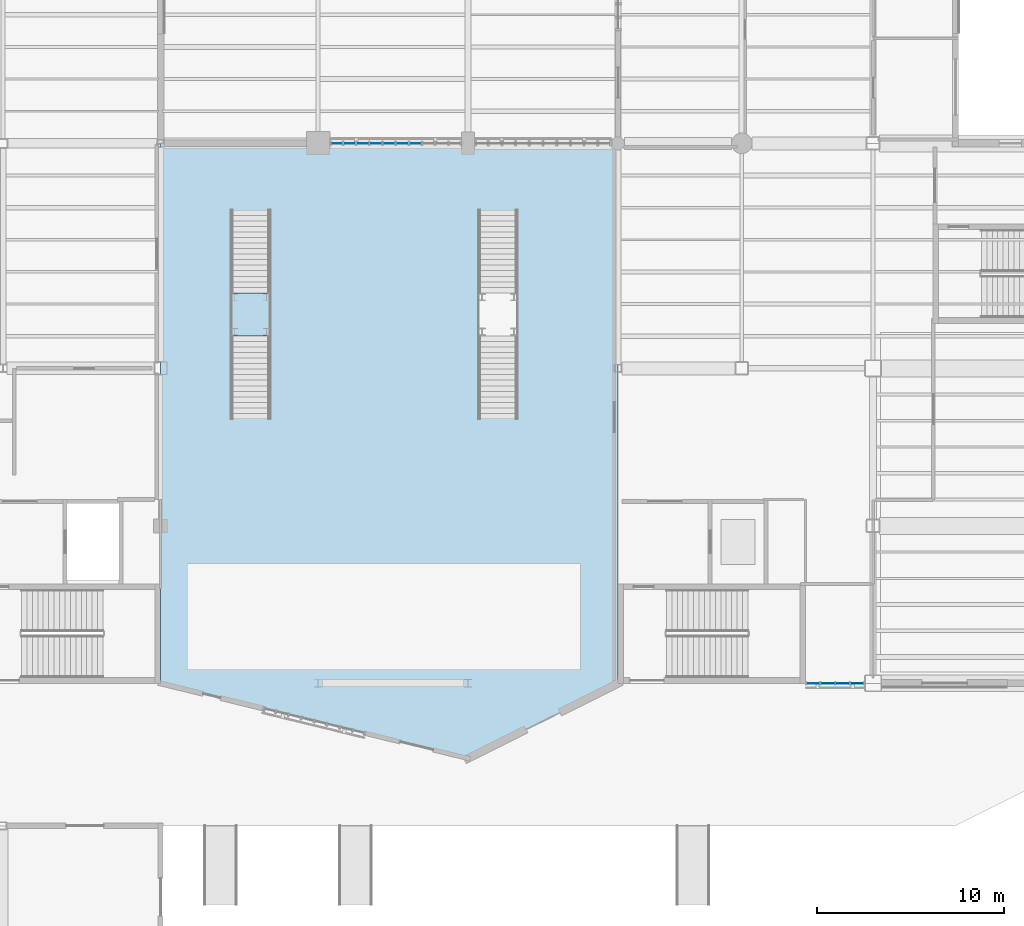
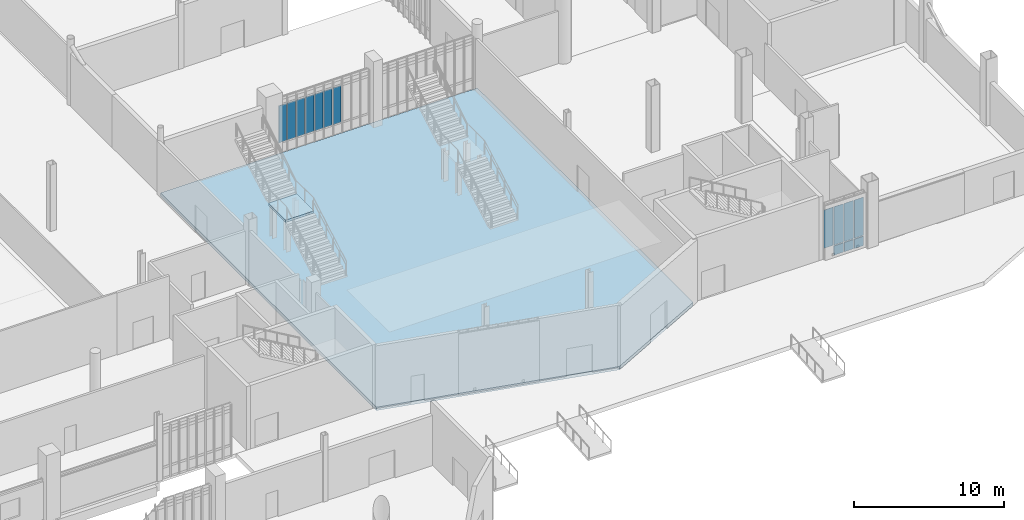
# One storey, part 59 of 111: 14 plates, 2 slabs, 3 elements without a shape of their own.
"""IFC4 building model written with IfcOpenShell, lengths in metres."""

from ifc_helpers import new_model, si_unit, direction, frame, origin, origin_2d, place, context, subcontext, project, spatial, polyline, rectangle, outline, extrude, material, layer, layer_set, type_object, element, aggregate, save


model = new_model("IFC4")

# Units and contexts
model_context = context("Model", 3, precision=1e-05, world=origin(), true_north=direction((0.0, 1.0)))
body_context = subcontext(model_context, "Body", "Model", "MODEL_VIEW")
ifc_project = project(units=[si_unit("LENGTHUNIT", "METRE"), si_unit("AREAUNIT", "SQUARE_METRE"), si_unit("VOLUMEUNIT", "CUBIC_METRE"), si_unit("PLANEANGLEUNIT", "RADIAN"), si_unit("MASSUNIT", "GRAM", prefix="KILO")], contexts=[model_context])

# Site, building, storey
site_placement = place(None, origin())
site = spatial("IfcSite", under=ifc_project, at=site_placement, CompositionType="ELEMENT")
building_placement = place(site_placement, origin())
building = spatial("IfcBuilding", under=site, at=building_placement, Name="Larkvane Passage Sports Hall", CompositionType="ELEMENT")
storey_placement = place(building_placement, origin())
storey = spatial("IfcBuildingStorey", under=building, at=storey_placement, Name="L00", CompositionType="ELEMENT", Elevation=0.0)

# Curtain wall, plates
ifc_material_1 = material(Name="Thermally broken aluminium and low-E glazing", Category="aluminium")
curtain_wall_type_1 = type_object("IfcCurtainWallType", Name="CW-UNIT-COURT", PredefinedType="USERDEFINED", material=ifc_material_1)
curtain_wall_1_placement = place(storey_placement, origin())
curtain_wall_1 = element("IfcCurtainWall", 1, at=curtain_wall_1_placement, inside=storey, type_object=curtain_wall_type_1, Name="Curtain wall CW5-L00-024", ObjectType="UNITISED CURTAIN WALL", PredefinedType="USERDEFINED")
ifc_material_2 = material(Name="Insulated aluminium spandrel panel", Category="aluminium")
ifc_layer_1 = layer(ifc_material_2, 0.06494140625)
ifc_layer_set_1 = layer_set([ifc_layer_1], Name="Insulated aluminium spandrel panel")
plate_type_1 = type_object("IfcPlateType", Name="CWP-SPD-65", PredefinedType="CURTAIN_PANEL", material=ifc_layer_set_1)
plate_1_placement = place(storey_placement, frame((130.74462890625, 22.800048828125, 0.06494140625), z_axis=(0.0, 0.0, 1.0), x_axis=(-1.0, 0.0, 0.0)))
plate_1 = element("IfcPlate", 2, at=plate_1_placement, type_object=plate_type_1, Name="CW-01 panel 1.1", PredefinedType="CURTAIN_PANEL", context=body_context, shape_type="SweptSolid", body=[
    extrude(rectangle(XDim=0.6884765625, YDim=0.06494140625, at=origin_2d()), origin(), (0.0, 0.0, 1.0), 0.75244140625),
])
plate_2_placement = place(storey_placement, frame((129.97509765625, 22.800048828125, 0.06494140625), z_axis=(0.0, 0.0, 1.0), x_axis=(-1.0, 0.0, 0.0)))
plate_2 = element("IfcPlate", 3, at=plate_2_placement, type_object=plate_type_1, Name="CW-01 panel 2.1", PredefinedType="CURTAIN_PANEL", context=body_context, shape_type="SweptSolid", body=[
    extrude(rectangle(XDim=0.720947265625, YDim=0.06494140625, at=origin_2d()), origin(), (0.0, 0.0, 1.0), 0.75244140625),
])
plate_3_placement = place(storey_placement, frame((129.18896484375, 22.800048828125, 0.06494140625), z_axis=(0.0, 0.0, 1.0), x_axis=(-1.0, 0.0, 0.0)))
plate_3 = element("IfcPlate", 4, at=plate_3_placement, type_object=plate_type_1, Name="CW-01 panel 3.1", PredefinedType="CURTAIN_PANEL", context=body_context, shape_type="SweptSolid", body=[
    extrude(rectangle(XDim=0.720947265625, YDim=0.06494140625, at=origin_2d()), origin(), (0.0, 0.0, 1.0), 0.75244140625),
])
ifc_material_3 = material(Name="Solar-control low-E double glazing", Category="glass")
ifc_layer_2 = layer(ifc_material_3, 0.028076171875)
ifc_layer_set_2 = layer_set([ifc_layer_2], Name="Solar-control low-E double glazing")
plate_type_2 = type_object("IfcPlateType", Name="CWP-VIS-28", PredefinedType="CURTAIN_PANEL", material=ifc_layer_set_2)
plate_4_placement = place(storey_placement, frame((130.74462890625, 22.800048828125, 0.882568359375), z_axis=(0.0, 0.0, 1.0), x_axis=(-1.0, 0.0, 0.0)))
plate_4 = element("IfcPlate", 5, at=plate_4_placement, type_object=plate_type_2, Name="CW-01 panel 1.2", PredefinedType="CURTAIN_PANEL", context=body_context, shape_type="SweptSolid", body=[
    extrude(rectangle(XDim=0.6884765625, YDim=0.028076171875, at=origin_2d()), origin(), (0.0, 0.0, 1.0), 3.10498046875),
])
plate_5_placement = place(storey_placement, frame((129.97509765625, 22.800048828125, 0.882568359375), z_axis=(0.0, 0.0, 1.0), x_axis=(-1.0, 0.0, 0.0)))
plate_5 = element("IfcPlate", 6, at=plate_5_placement, type_object=plate_type_2, Name="CW-01 panel 2.2", PredefinedType="CURTAIN_PANEL", context=body_context, shape_type="SweptSolid", body=[
    extrude(rectangle(XDim=0.720947265625, YDim=0.028076171875, at=origin_2d()), origin(), (0.0, 0.0, 1.0), 3.10498046875),
])
plate_6_placement = place(storey_placement, frame((129.18896484375, 22.800048828125, 0.882568359375), z_axis=(0.0, 0.0, 1.0), x_axis=(-1.0, 0.0, 0.0)))
plate_6 = element("IfcPlate", 7, at=plate_6_placement, type_object=plate_type_2, Name="CW-01 panel 3.2", PredefinedType="CURTAIN_PANEL", context=body_context, shape_type="SweptSolid", body=[
    extrude(rectangle(XDim=0.720947265625, YDim=0.028076171875, at=origin_2d()), origin(), (0.0, 0.0, 1.0), 3.10498046875),
])
plate_7_placement = place(storey_placement, frame((128.419189453125, 22.800048828125, 0.882568359375), z_axis=(0.0, 0.0, 1.0), x_axis=(-1.0, 0.0, 0.0)))
plate_7 = element("IfcPlate", 8, at=plate_7_placement, type_object=plate_type_2, Name="CW-01 panel 4.2", PredefinedType="CURTAIN_PANEL", context=body_context, shape_type="SweptSolid", body=[
    extrude(rectangle(XDim=0.6884765625, YDim=0.028076171875, at=origin_2d()), origin(), (0.0, 0.0, 1.0), 3.10498046875),
])
aggregate(curtain_wall_1, [plate_1, plate_4, plate_2, plate_5, plate_3, plate_6, plate_7])

curtain_wall_type_2 = type_object("IfcCurtainWallType", Name="CW-UNIT-VEIL", PredefinedType="USERDEFINED", material=ifc_material_1)
curtain_wall_2_placement = place(storey_placement, origin())
curtain_wall_2 = element("IfcCurtainWall", 9, at=curtain_wall_2_placement, inside=storey, type_object=curtain_wall_type_2, Name="Curtain wall CW5-L00-017", ObjectType="UNITISED CURTAIN WALL", PredefinedType="USERDEFINED")
ifc_material_4 = material(Name="Laminated acoustic low-E glazing", Category="glass")
ifc_layer_3 = layer(ifc_material_4, 0.031982421875)
ifc_layer_set_3 = layer_set([ifc_layer_3], Name="Laminated acoustic low-E glazing")
plate_type_3 = type_object("IfcPlateType", Name="CWP-VIS-32", PredefinedType="CURTAIN_PANEL", material=ifc_layer_set_3)
plate_8_placement = place(storey_placement, frame((102.991455078125, 51.60009765625, 0.887451171875), z_axis=(0.0, 0.0, 1.0), x_axis=(1.0, 0.0, 0.0)))
plate_8 = element("IfcPlate", 10, at=plate_8_placement, type_object=plate_type_3, Name="CW-02 panel 1.2", PredefinedType="CURTAIN_PANEL", context=body_context, shape_type="SweptSolid", body=[
    extrude(rectangle(XDim=0.5908203125, YDim=0.031982421875, at=origin_2d()), origin(), (0.0, 0.0, 1.0), 3.0048828125),
])
plate_9_placement = place(storey_placement, frame((103.676025390625, 51.60009765625, 0.887451171875), z_axis=(0.0, 0.0, 1.0), x_axis=(1.0, 0.0, 0.0)))
plate_9 = element("IfcPlate", 11, at=plate_9_placement, type_object=plate_type_3, Name="CW-02 panel 2.2", PredefinedType="CURTAIN_PANEL", context=body_context, shape_type="SweptSolid", body=[
    extrude(rectangle(XDim=0.62841796875, YDim=0.031982421875, at=origin_2d()), origin(), (0.0, 0.0, 1.0), 3.0048828125),
])
plate_10_placement = place(storey_placement, frame((104.379150390625, 51.60009765625, 0.887451171875), z_axis=(0.0, 0.0, 1.0), x_axis=(1.0, 0.0, 0.0)))
plate_10 = element("IfcPlate", 12, at=plate_10_placement, type_object=plate_type_3, Name="CW-02 panel 3.2", PredefinedType="CURTAIN_PANEL", context=body_context, shape_type="SweptSolid", body=[
    extrude(rectangle(XDim=0.62841796875, YDim=0.031982421875, at=origin_2d()), origin(), (0.0, 0.0, 1.0), 3.0048828125),
])
plate_11_placement = place(storey_placement, frame((105.08251953125, 51.60009765625, 0.887451171875), z_axis=(0.0, 0.0, 1.0), x_axis=(1.0, 0.0, 0.0)))
plate_11 = element("IfcPlate", 13, at=plate_11_placement, type_object=plate_type_3, Name="CW-02 panel 4.2", PredefinedType="CURTAIN_PANEL", context=body_context, shape_type="SweptSolid", body=[
    extrude(rectangle(XDim=0.62841796875, YDim=0.031982421875, at=origin_2d()), origin(), (0.0, 0.0, 1.0), 3.0048828125),
])
plate_12_placement = place(storey_placement, frame((105.785888671875, 51.60009765625, 0.887451171875), z_axis=(0.0, 0.0, 1.0), x_axis=(1.0, 0.0, 0.0)))
plate_12 = element("IfcPlate", 14, at=plate_12_placement, type_object=plate_type_3, Name="CW-02 panel 5.2", PredefinedType="CURTAIN_PANEL", context=body_context, shape_type="SweptSolid", body=[
    extrude(rectangle(XDim=0.62841796875, YDim=0.031982421875, at=origin_2d()), origin(), (0.0, 0.0, 1.0), 3.0048828125),
])
plate_13_placement = place(storey_placement, frame((106.4892578125, 51.60009765625, 0.887451171875), z_axis=(0.0, 0.0, 1.0), x_axis=(1.0, 0.0, 0.0)))
plate_13 = element("IfcPlate", 15, at=plate_13_placement, type_object=plate_type_3, Name="CW-02 panel 6.2", PredefinedType="CURTAIN_PANEL", context=body_context, shape_type="SweptSolid", body=[
    extrude(rectangle(XDim=0.62841796875, YDim=0.031982421875, at=origin_2d()), origin(), (0.0, 0.0, 1.0), 3.0048828125),
])
plate_14_placement = place(storey_placement, frame((107.1923828125, 51.60009765625, 0.887451171875), z_axis=(0.0, 0.0, 1.0), x_axis=(1.0, 0.0, 0.0)))
plate_14 = element("IfcPlate", 16, at=plate_14_placement, type_object=plate_type_3, Name="CW-02 panel 7.2", PredefinedType="CURTAIN_PANEL", context=body_context, shape_type="SweptSolid", body=[
    extrude(rectangle(XDim=0.62841796875, YDim=0.031982421875, at=origin_2d()), origin(), (0.0, 0.0, 1.0), 3.0048828125),
])
aggregate(curtain_wall_2, [plate_8, plate_9, plate_10, plate_11, plate_12, plate_13, plate_14])

# Slab
ifc_material_5 = material(Name="Concrete C40/50", Category="concrete")
ifc_layer_4 = layer(ifc_material_5, 0.27001953125)
ifc_layer_set_4 = layer_set([ifc_layer_4], Name="Concrete C40/50")
slab_type_1 = type_object("IfcSlabType", Name="SLB-FLR-270", PredefinedType="FLOOR", material=ifc_layer_set_4)
slab_1_placement = place(storey_placement, frame((0.0, 0.0, -0.27001953125)))
element("IfcSlab", 17, at=slab_1_placement, inside=storey, type_object=slab_type_1, Name="Structural floor slab SLAB-L00-V5", PredefinedType="FLOOR", context=body_context, shape_type="SweptSolid", body=[
    extrude(outline(polyline([(93.60009765625, 22.800048828125), (110.0, 18.800048828125), (118.0, 22.800048828125), (118.0, 51.60009765625), (93.60009765625, 51.60009765625), (93.60009765625, 22.800048828125)])), origin(), (0.0, 0.0, 1.0), 0.27001953125),
])

# Stair, slab
stair_type = type_object("IfcStairType", Name="STR-FOYER-2200", PredefinedType="TWO_STRAIGHT_RUN_STAIR", material=ifc_material_5)
stair_placement = place(storey_placement, origin())
stair = element("IfcStair", 18, at=stair_placement, inside=storey, type_object=stair_type, Name="Entrance foyer feature stair ST-F1", PredefinedType="TWO_STRAIGHT_RUN_STAIR")
ifc_layer_5 = layer(ifc_material_5, 0.199951171875)
ifc_layer_set_5 = layer_set([ifc_layer_5], Name="Concrete C40/50")
slab_type_2 = type_object("IfcSlabType", Name="SLB-LAND-200", PredefinedType="LANDING", material=ifc_layer_set_5)
slab_2_placement = place(storey_placement, frame((0.0, 0.0, 2.5)))
slab_2 = element("IfcSlab", 19, at=slab_2_placement, type_object=slab_type_2, Name="ST-F1 landing 1", PredefinedType="LANDING", context=body_context, shape_type="SweptSolid", body=[
    extrude(outline(polyline([(97.300048828125, 41.324951171875), (99.5, 41.324951171875), (99.5, 43.625), (97.300048828125, 43.625), (97.300048828125, 41.324951171875)])), origin(), (0.0, 0.0, 1.0), 0.199951171875),
])
aggregate(stair, [slab_2])

save(model, "model.ifc")
